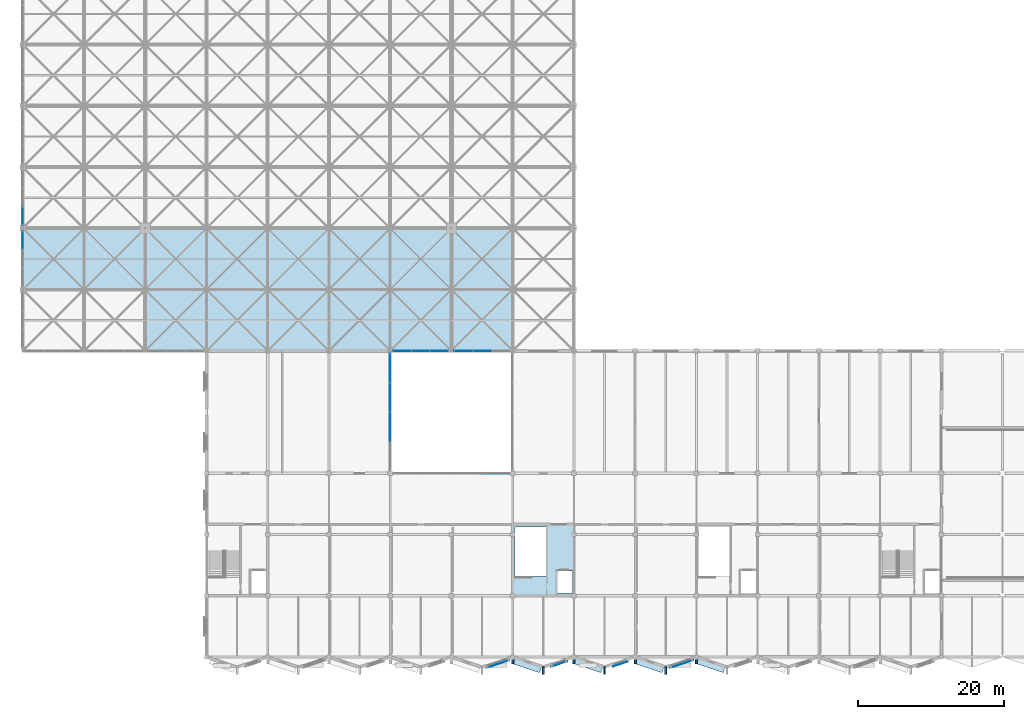
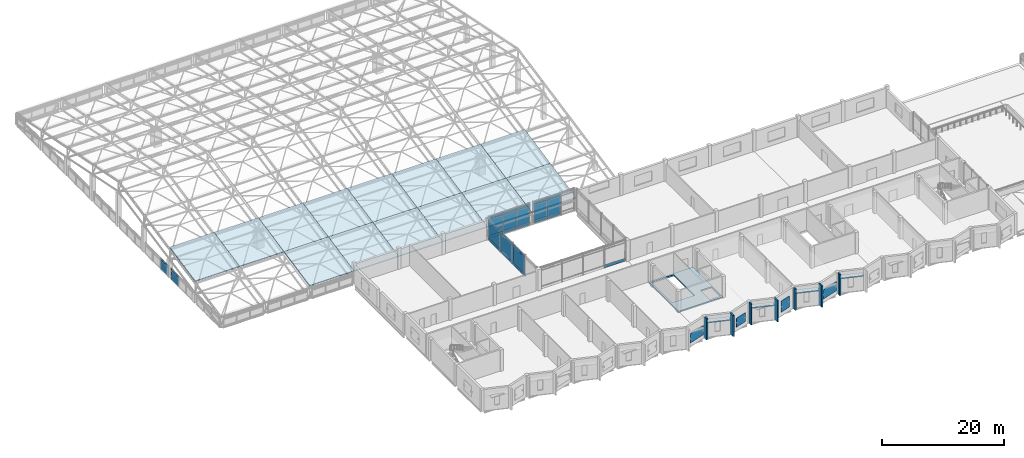
# One storey, part 68 of 81: 44 plates, 15 slabs, 6 elements without a shape of their own.
"""IFC4 building model written with IfcOpenShell, lengths in metres."""

from ifc_helpers import new_model, si_unit, direction, frame, frame_2d, origin, place, context, subcontext, project, spatial, polyline, rectangle, outline, extrude, material, layer, layer_set, type_object, element, aggregate, save


model = new_model("IFC4")

# Units and contexts
model_context = context("Model", 3, precision=1e-05, world=origin(), true_north=direction((0.0, 1.0)))
body_context = subcontext(model_context, "Body", "Model", "MODEL_VIEW")
ifc_project = project(units=[si_unit("LENGTHUNIT", "METRE"), si_unit("AREAUNIT", "SQUARE_METRE"), si_unit("VOLUMEUNIT", "CUBIC_METRE"), si_unit("PLANEANGLEUNIT", "RADIAN"), si_unit("MASSUNIT", "GRAM", prefix="KILO")], contexts=[model_context])

# Site, building, storey
site_placement = place(None, origin())
site = spatial("IfcSite", under=ifc_project, at=site_placement, CompositionType="ELEMENT")
building_placement = place(site_placement, origin())
building = spatial("IfcBuilding", under=site, at=building_placement, Name="Qawsi Khor Wholesale Market", CompositionType="ELEMENT")
storey_placement = place(building_placement, frame((0.0, 0.0, 16.199951171875)))
storey = spatial("IfcBuildingStorey", under=building, at=storey_placement, Name="L03", CompositionType="ELEMENT", Elevation=16.199951171875)

# Curtain wall, plate
ifc_material_1 = material(Name="Aluminium Anodised Bronze", Category="aluminium")
ifc_layer_1 = layer(ifc_material_1, 0.179931640625, Name="Aluminium Anodised Bronze")
ifc_layer_set_1 = layer_set([ifc_layer_1], Name="Aluminium Anodised Bronze")
curtain_wall_type_1 = type_object("IfcCurtainWallType", Name="Atrium Full-Height Curtain Wall CW-02", PredefinedType="NOTDEFINED", material=ifc_layer_set_1)
curtain_wall_1_placement = place(storey_placement, origin())
curtain_wall_1 = element("IfcCurtainWall", 1, at=curtain_wall_1_placement, inside=storey, type_object=curtain_wall_type_1, Name="Curtain wall CW-CW-02-L03-026", PredefinedType="NOTDEFINED")
ifc_material_2 = material(Name="Anodised Aluminium Spandrel", Category="aluminium")
ifc_layer_2 = layer(ifc_material_2, 0.06494140625, Name="Anodised Aluminium Spandrel")
ifc_layer_set_2 = layer_set([ifc_layer_2], Name="Anodised Aluminium Spandrel")
plate_type_1 = type_object("IfcPlateType", Name="Insulated Spandrel Panel CW-02 65mm", PredefinedType="CURTAIN_PANEL", material=ifc_layer_set_2)
plate_1_placement = place(storey_placement, frame((62.802490234375, 25.199951171875, 0.005126953125), z_axis=(0.0, 0.0, 1.0), x_axis=(1.0, 0.0, 0.0)))
plate_1 = element("IfcPlate", 2, at=plate_1_placement, type_object=plate_type_1, Name="Curtain panel CW-CW-02-L03-026-P0_03", PredefinedType="CURTAIN_PANEL", context=body_context, shape_type="SweptSolid", body=[
    extrude(rectangle(XDim=4.00244140625, YDim=0.06494140625, at=frame_2d((2.001220703125, 0.0))), origin(), (0.0, 0.0, 1.0), 0.58984375),
])
aggregate(curtain_wall_1, [plate_1])

# Curtain wall, plates
curtain_wall_2_placement = place(storey_placement, origin())
curtain_wall_2 = element("IfcCurtainWall", 3, at=curtain_wall_2_placement, inside=storey, type_object=curtain_wall_type_1, Name="Curtain wall CW-CW-02-L03-027", PredefinedType="NOTDEFINED")
plate_2_placement = place(storey_placement, frame((50.794921875, 42.0, 0.005126953125), z_axis=(0.0, 0.0, 1.0), x_axis=(1.0, 0.0, 0.0)))
plate_2 = element("IfcPlate", 4, at=plate_2_placement, type_object=plate_type_1, Name="Curtain panel CW-CW-02-L03-027-P0_00", PredefinedType="CURTAIN_PANEL", context=body_context, shape_type="SweptSolid", body=[
    extrude(rectangle(XDim=2.5283203125, YDim=0.06494140625, at=frame_2d((1.26416015625, 0.0))), origin(), (0.0, 0.0, 1.0), 0.58984375),
])
plate_3_placement = place(storey_placement, frame((53.3232421875, 42.0, 0.005126953125), z_axis=(0.0, 0.0, 1.0), x_axis=(1.0, 0.0, 0.0)))
plate_3 = element("IfcPlate", 5, at=plate_3_placement, type_object=plate_type_1, Name="Curtain panel CW-CW-02-L03-027-P0_01", PredefinedType="CURTAIN_PANEL", context=body_context, shape_type="SweptSolid", body=[
    extrude(rectangle(XDim=2.528564453125, YDim=0.06494140625, at=frame_2d((1.26416015625, 0.0))), origin(), (0.0, 0.0, 1.0), 0.58984375),
])
plate_4_placement = place(storey_placement, frame((55.851806640625, 42.0, 0.005126953125), z_axis=(0.0, 0.0, 1.0), x_axis=(1.0, 0.0, 0.0)))
plate_4 = element("IfcPlate", 6, at=plate_4_placement, type_object=plate_type_1, Name="Curtain panel CW-CW-02-L03-027-P0_02", PredefinedType="CURTAIN_PANEL", context=body_context, shape_type="SweptSolid", body=[
    extrude(rectangle(XDim=2.528076171875, YDim=0.06494140625, at=frame_2d((1.26416015625, 0.0))), origin(), (0.0, 0.0, 1.0), 0.58984375),
])

curtain_wall_3_placement = place(storey_placement, origin())
curtain_wall_3 = element("IfcCurtainWall", 7, at=curtain_wall_3_placement, inside=storey, type_object=curtain_wall_type_1, Name="Curtain wall CW-CW-02-L03-028", PredefinedType="NOTDEFINED")
plate_5_placement = place(storey_placement, frame((59.219970703125, 42.0, 0.005126953125), z_axis=(0.0, 0.0, 1.0), x_axis=(1.0, 0.0, 0.0)))
plate_5 = element("IfcPlate", 8, at=plate_5_placement, type_object=plate_type_1, Name="Curtain panel CW-CW-02-L03-028-P0_00", PredefinedType="CURTAIN_PANEL", context=body_context, shape_type="SweptSolid", body=[
    extrude(rectangle(XDim=2.5283203125, YDim=0.06494140625, at=frame_2d((1.26416015625, 0.0))), origin(), (0.0, 0.0, 1.0), 0.58984375),
])
plate_6_placement = place(storey_placement, frame((61.748291015625, 42.0, 0.005126953125), z_axis=(0.0, 0.0, 1.0), x_axis=(1.0, 0.0, 0.0)))
plate_6 = element("IfcPlate", 9, at=plate_6_placement, type_object=plate_type_1, Name="Curtain panel CW-CW-02-L03-028-P0_01", PredefinedType="CURTAIN_PANEL", context=body_context, shape_type="SweptSolid", body=[
    extrude(rectangle(XDim=2.5283203125, YDim=0.06494140625, at=frame_2d((1.26416015625, 0.0))), origin(), (0.0, 0.0, 1.0), 0.58984375),
])

curtain_wall_4_placement = place(storey_placement, origin())
curtain_wall_4 = element("IfcCurtainWall", 10, at=curtain_wall_4_placement, inside=storey, type_object=curtain_wall_type_1, Name="Curtain wall CW-CW-02-L03-029", PredefinedType="NOTDEFINED")
plate_7_placement = place(storey_placement, frame((50.39990234375, 29.597412109375, 0.005126953125), z_axis=(0.0, 0.0, 1.0), x_axis=(0.0, 1.0, 0.0)))
plate_7 = element("IfcPlate", 11, at=plate_7_placement, type_object=plate_type_1, Name="Curtain panel CW-CW-02-L03-029-P0_01", PredefinedType="CURTAIN_PANEL", context=body_context, shape_type="SweptSolid", body=[
    extrude(rectangle(XDim=4.002685546875, YDim=0.06494140625, at=frame_2d((2.00146484375, 0.0))), origin(), (0.0, 0.0, 1.0), 0.58984375),
])
plate_8_placement = place(storey_placement, frame((50.39990234375, 33.60009765625, 0.005126953125), z_axis=(0.0, 0.0, 1.0), x_axis=(0.0, 1.0, 0.0)))
plate_8 = element("IfcPlate", 12, at=plate_8_placement, type_object=plate_type_1, Name="Curtain panel CW-CW-02-L03-029-P0_02", PredefinedType="CURTAIN_PANEL", context=body_context, shape_type="SweptSolid", body=[
    extrude(rectangle(XDim=4.00244140625, YDim=0.06494140625, at=frame_2d((2.001220703125, 0.0))), origin(), (0.0, 0.0, 1.0), 0.58984375),
])
plate_9_placement = place(storey_placement, frame((50.39990234375, 37.6025390625, 0.005126953125), z_axis=(0.0, 0.0, 1.0), x_axis=(0.0, 1.0, 0.0)))
plate_9 = element("IfcPlate", 13, at=plate_9_placement, type_object=plate_type_1, Name="Curtain panel CW-CW-02-L03-029-P0_03", PredefinedType="CURTAIN_PANEL", context=body_context, shape_type="SweptSolid", body=[
    extrude(rectangle(XDim=4.00244140625, YDim=0.06494140625, at=frame_2d((2.001220703125, 0.0))), origin(), (0.0, 0.0, 1.0), 0.58984375),
])

# Plates
ifc_material_3 = material(Name="Perforated Bronze-Anodised Aluminium", Category="aluminium")
ifc_layer_3 = layer(ifc_material_3, 0.028076171875, Name="Perforated Bronze-Anodised Aluminium")
ifc_layer_set_3 = layer_set([ifc_layer_3], Name="Perforated Bronze-Anodised Aluminium")
plate_type_2 = type_object("IfcPlateType", Name="Perforated Bronze Mashrabiya Screen 28mm", PredefinedType="SHEET", material=ifc_layer_set_3)
plate_10_placement = place(storey_placement, frame((66.756103515625, -0.448486328125, 0.85009765625), z_axis=(0.0, 0.0, 1.0), x_axis=(-0.948690696143, -0.316205570874, 0.0)))
element("IfcPlate", 14, at=plate_10_placement, inside=storey, type_object=plate_type_2, Name="Solar mashrabiya screen 045", PredefinedType="SHEET", context=body_context, shape_type="SweptSolid", body=[
    extrude(rectangle(XDim=3.300048828125, YDim=0.028076171875, at=frame_2d((1.64990234375, 0.0))), origin(), (0.0, 0.0, 1.0), 1.849853515625),
])
plate_11_placement = place(storey_placement, frame((74.691162109375, -0.603271484375, 0.85009765625), z_axis=(0.0, 0.0, 1.0), x_axis=(-0.948683298051, -0.316227766017, 0.0)))
element("IfcPlate", 15, at=plate_11_placement, inside=storey, type_object=plate_type_2, Name="Solar mashrabiya screen 046", PredefinedType="SHEET", context=body_context, shape_type="SweptSolid", body=[
    extrude(rectangle(XDim=2.320068359375, YDim=0.028076171875, at=frame_2d((1.16015625, 0.0))), origin(), (0.0, 0.0, 1.0), 1.800048828125),
])
plate_12_placement = place(storey_placement, frame((82.98681640625, -0.63818359375, 0.85009765625), z_axis=(0.0, 0.0, 1.0), x_axis=(-0.948683298051, -0.316227766017, 0.0)))
element("IfcPlate", 16, at=plate_12_placement, inside=storey, type_object=plate_type_2, Name="Solar mashrabiya screen 047", PredefinedType="SHEET", context=body_context, shape_type="SweptSolid", body=[
    extrude(rectangle(XDim=2.099853515625, YDim=0.028076171875, at=frame_2d((1.0498046875, 0.0))), origin(), (0.0, 0.0, 1.0), 2.25),
])
plate_13_placement = place(storey_placement, frame((91.9560546875, -0.448486328125, 0.85009765625), z_axis=(0.0, 0.0, 1.0), x_axis=(-0.948690696143, -0.316205570874, 0.0)))
element("IfcPlate", 17, at=plate_13_placement, inside=storey, type_object=plate_type_2, Name="Solar mashrabiya screen 048", PredefinedType="SHEET", context=body_context, shape_type="SweptSolid", body=[
    extrude(rectangle(XDim=3.300048828125, YDim=0.028076171875, at=frame_2d((1.64990234375, 0.0))), origin(), (0.0, 0.0, 1.0), 1.849853515625),
])
ifc_material_4 = material(Name="Concrete C40/50", Category="concrete")
ifc_layer_4 = layer(ifc_material_4, 0.260009765625, Name="Concrete C40/50")
ifc_layer_set_4 = layer_set([ifc_layer_4], Name="Concrete C40/50")
plate_type_3 = type_object("IfcPlateType", Name="Sculpted Concrete Solar Buttress Fin 260", PredefinedType="SHEET", material=ifc_layer_set_4)
plate_14_placement = place(storey_placement, frame((67.199951171875, -0.949951171875, 0.0), z_axis=(0.0, 0.0, 1.0), x_axis=(0.0, 1.0, 0.0)))
element("IfcPlate", 18, at=plate_14_placement, inside=storey, type_object=plate_type_3, Name="Boulevard concrete solar buttress fin L03-10", PredefinedType="SHEET", context=body_context, shape_type="SweptSolid", body=[
    extrude(rectangle(XDim=0.570068359375, YDim=0.260009765625, at=frame_2d((0.28515625, 0.0))), origin(), (0.0, 0.0, 1.0), 4.260009765625),
])
plate_15_placement = place(storey_placement, frame((71.39990234375, -2.35009765625, 0.0), z_axis=(0.0, 0.0, 1.0), x_axis=(0.0, 1.0, 0.0)))
element("IfcPlate", 19, at=plate_15_placement, inside=storey, type_object=plate_type_3, Name="Boulevard concrete solar buttress fin L03-11", PredefinedType="SHEET", context=body_context, shape_type="SweptSolid", body=[
    extrude(rectangle(XDim=1.0, YDim=0.260009765625, at=frame_2d((0.5, 0.0))), origin(), (0.0, 0.0, 1.0), 4.260009765625),
])
plate_16_placement = place(storey_placement, frame((75.60009765625, -0.949951171875, 0.0), z_axis=(0.0, 0.0, 1.0), x_axis=(0.0, 1.0, 0.0)))
element("IfcPlate", 20, at=plate_16_placement, inside=storey, type_object=plate_type_3, Name="Boulevard concrete solar buttress fin L03-12", PredefinedType="SHEET", context=body_context, shape_type="SweptSolid", body=[
    extrude(rectangle(XDim=0.570068359375, YDim=0.260009765625, at=frame_2d((0.28515625, 0.0))), origin(), (0.0, 0.0, 1.0), 4.260009765625),
])
plate_17_placement = place(storey_placement, frame((79.800048828125, -2.35009765625, 0.0), z_axis=(0.0, 0.0, 1.0), x_axis=(0.0, 1.0, 0.0)))
element("IfcPlate", 21, at=plate_17_placement, inside=storey, type_object=plate_type_3, Name="Boulevard concrete solar buttress fin L03-13", PredefinedType="SHEET", context=body_context, shape_type="SweptSolid", body=[
    extrude(rectangle(XDim=1.0, YDim=0.260009765625, at=frame_2d((0.5, 0.0))), origin(), (0.0, 0.0, 1.0), 4.260009765625),
])
plate_18_placement = place(storey_placement, frame((84.0, -0.949951171875, 0.0), z_axis=(0.0, 0.0, 1.0), x_axis=(0.0, 1.0, 0.0)))
element("IfcPlate", 22, at=plate_18_placement, inside=storey, type_object=plate_type_3, Name="Boulevard concrete solar buttress fin L03-14", PredefinedType="SHEET", context=body_context, shape_type="SweptSolid", body=[
    extrude(rectangle(XDim=0.570068359375, YDim=0.260009765625, at=frame_2d((0.28515625, 0.0))), origin(), (0.0, 0.0, 1.0), 4.260009765625),
])
plate_19_placement = place(storey_placement, frame((88.199951171875, -2.35009765625, 0.0), z_axis=(0.0, 0.0, 1.0), x_axis=(0.0, 1.0, 0.0)))
element("IfcPlate", 23, at=plate_19_placement, inside=storey, type_object=plate_type_3, Name="Boulevard concrete solar buttress fin L03-15", PredefinedType="SHEET", context=body_context, shape_type="SweptSolid", body=[
    extrude(rectangle(XDim=1.0, YDim=0.260009765625, at=frame_2d((0.5, 0.0))), origin(), (0.0, 0.0, 1.0), 4.260009765625),
])
plate_20_placement = place(storey_placement, frame((92.39990234375, -0.949951171875, 0.0), z_axis=(0.0, 0.0, 1.0), x_axis=(0.0, 1.0, 0.0)))
element("IfcPlate", 24, at=plate_20_placement, inside=storey, type_object=plate_type_3, Name="Boulevard concrete solar buttress fin L03-16", PredefinedType="SHEET", context=body_context, shape_type="SweptSolid", body=[
    extrude(rectangle(XDim=0.570068359375, YDim=0.260009765625, at=frame_2d((0.28515625, 0.0))), origin(), (0.0, 0.0, 1.0), 4.260009765625),
])
ifc_layer_5 = layer(ifc_material_4, 0.949951171875, Name="Concrete C40/50")
ifc_layer_set_5 = layer_set([ifc_layer_5], Name="Concrete C40/50")
plate_type_4 = type_object("IfcPlateType", Name="Sculpted Concrete Sun-Hood Canopy 950", PredefinedType="SHEET", material=ifc_layer_set_5)
for number, where, z_axis, x_axis, name in (
    (25, (67.310791015625, -0.45849609375, 3.25), (0.0, 0.0, 1.0), (0.94867708111, -0.316246416226, 0.0), "Sculpted concrete sun-hood L03-11"),
    (26, (75.710693359375, -0.45849609375, 3.25), (0.0, 0.0, 1.0), (0.94867708111, -0.316246416226, 0.0), "Sculpted concrete sun-hood L03-13"),
    (27, (84.110595703125, -0.45849609375, 3.25), (0.0, 0.0, 1.0), (0.94867708111, -0.316246416226, 0.0), "Sculpted concrete sun-hood L03-15"),
    (28, (92.5107421875, -0.45849609375, 3.25), (0.0, 0.0, 1.0), (0.94867708111, -0.316246416226, 0.0), "Sculpted concrete sun-hood L03-17"),
):
    element("IfcPlate", number, at=place(storey_placement, frame(where, z_axis=z_axis, x_axis=x_axis)), inside=storey, type_object=plate_type_4, Name=name, PredefinedType="SHEET", context=body_context, shape_type="SweptSolid", body=[
        extrude(rectangle(XDim=3.92724609375, YDim=0.949951171875, at=frame_2d((1.963623046875, 0.0))), origin(), (0.0, 0.0, 1.0), 0.18994140625),
    ])

# Slabs
ifc_layer_6 = layer(ifc_material_4, 0.2099609375, Name="Concrete C40/50")
ifc_layer_set_6 = layer_set([ifc_layer_6], Name="Concrete C40/50")
slab_type_1 = type_object("IfcSlabType", Name="Sloped Insulated Roof Deck 210", PredefinedType="ROOF", material=ifc_layer_set_6)
slab_1_placement = place(storey_placement, frame((0.0, 50.39990234375, 4.150146484375), z_axis=(0.0, -0.198350711418, 0.98013111127), x_axis=(1.0, 0.0, 0.0)))
element("IfcSlab", 29, at=slab_1_placement, inside=storey, type_object=slab_type_1, Name="Space frame roof deck WH (0,6)", PredefinedType="ROOF", context=body_context, shape_type="SweptSolid", body=[
    extrude(outline(polyline([(0.0, 0.0), (8.39990234375, 0.0), (8.39990234375, 8.570431432881128), (0.0, 8.570431432881128), (0.0, 0.0)])), origin(), (0.0, 0.0, -1.0), 0.2099609375),
])
slab_2_placement = place(storey_placement, frame((8.39990234375, 50.39990234375, 4.150146484375), z_axis=(0.0, -0.198350711418, 0.98013111127), x_axis=(1.0, 0.0, 0.0)))
element("IfcSlab", 30, at=slab_2_placement, inside=storey, type_object=slab_type_1, Name="Space frame roof deck WH (1,6)", PredefinedType="ROOF", context=body_context, shape_type="SweptSolid", body=[
    extrude(outline(polyline([(0.0, 0.0), (8.400146484375, 0.0), (8.400146484375, 8.570431432881128), (0.0, 8.570431432881128), (0.0, 0.0)])), origin(), (0.0, 0.0, -1.0), 0.2099609375),
])
slab_3_placement = place(storey_placement, frame((16.800048828125, 42.0, 2.449951171875), z_axis=(0.0, -0.198383615716, 0.9801244518), x_axis=(1.0, 0.0, 0.0)))
element("IfcSlab", 31, at=slab_3_placement, inside=storey, type_object=slab_type_1, Name="Space frame roof deck WH (2,5)", PredefinedType="ROOF", context=body_context, shape_type="SweptSolid", body=[
    extrude(outline(polyline([(0.0, 0.0), (8.39990234375, 0.0), (8.39990234375, 8.570240573355203), (0.0, 8.570240573355203), (0.0, 0.0)])), origin(), (0.0, 0.0, -1.0), 0.2099609375),
])
slab_4_placement = place(storey_placement, frame((16.800048828125, 50.39990234375, 4.150146484375), z_axis=(0.0, -0.198350711418, 0.98013111127), x_axis=(1.0, 0.0, 0.0)))
element("IfcSlab", 32, at=slab_4_placement, inside=storey, type_object=slab_type_1, Name="Space frame roof deck WH (2,6)", PredefinedType="ROOF", context=body_context, shape_type="SweptSolid", body=[
    extrude(outline(polyline([(0.0, 0.0), (8.39990234375, 0.0), (8.39990234375, 8.570431432881128), (0.0, 8.570431432881128), (0.0, 0.0)])), origin(), (0.0, 0.0, -1.0), 0.2099609375),
])
slab_5_placement = place(storey_placement, frame((25.199951171875, 42.0, 2.449951171875), z_axis=(0.0, -0.198383615716, 0.9801244518), x_axis=(1.0, 0.0, 0.0)))
element("IfcSlab", 33, at=slab_5_placement, inside=storey, type_object=slab_type_1, Name="Space frame roof deck WH (3,5)", PredefinedType="ROOF", context=body_context, shape_type="SweptSolid", body=[
    extrude(outline(polyline([(0.0, 0.0), (8.400146484375, 0.0), (8.400146484375, 8.570240573355203), (0.0, 8.570240573355203), (0.0, 0.0)])), origin(), (0.0, 0.0, -1.0), 0.2099609375),
])
slab_6_placement = place(storey_placement, frame((25.199951171875, 50.39990234375, 4.150146484375), z_axis=(0.0, -0.198350711418, 0.98013111127), x_axis=(1.0, 0.0, 0.0)))
element("IfcSlab", 34, at=slab_6_placement, inside=storey, type_object=slab_type_1, Name="Space frame roof deck WH (3,6)", PredefinedType="ROOF", context=body_context, shape_type="SweptSolid", body=[
    extrude(outline(polyline([(0.0, 0.0), (8.400146484375, 0.0), (8.400146484375, 8.570431432881128), (0.0, 8.570431432881128), (0.0, 0.0)])), origin(), (0.0, 0.0, -1.0), 0.2099609375),
])
slab_7_placement = place(storey_placement, frame((33.60009765625, 42.0, 2.449951171875), z_axis=(0.0, -0.198383615716, 0.9801244518), x_axis=(1.0, 0.0, 0.0)))
element("IfcSlab", 35, at=slab_7_placement, inside=storey, type_object=slab_type_1, Name="Space frame roof deck WH (4,5)", PredefinedType="ROOF", context=body_context, shape_type="SweptSolid", body=[
    extrude(outline(polyline([(0.0, 0.0), (8.39990234375, 0.0), (8.39990234375, 8.570240573355203), (0.0, 8.570240573355203), (0.0, 0.0)])), origin(), (0.0, 0.0, -1.0), 0.2099609375),
])
slab_8_placement = place(storey_placement, frame((33.60009765625, 50.39990234375, 4.150146484375), z_axis=(0.0, -0.198350711418, 0.98013111127), x_axis=(1.0, 0.0, 0.0)))
element("IfcSlab", 36, at=slab_8_placement, inside=storey, type_object=slab_type_1, Name="Space frame roof deck WH (4,6)", PredefinedType="ROOF", context=body_context, shape_type="SweptSolid", body=[
    extrude(outline(polyline([(0.0, 0.0), (8.39990234375, 0.0), (8.39990234375, 8.570431432881128), (0.0, 8.570431432881128), (0.0, 0.0)])), origin(), (0.0, 0.0, -1.0), 0.2099609375),
])
slab_9_placement = place(storey_placement, frame((42.0, 42.0, 2.449951171875), z_axis=(0.0, -0.198383615716, 0.9801244518), x_axis=(1.0, 0.0, 0.0)))
element("IfcSlab", 37, at=slab_9_placement, inside=storey, type_object=slab_type_1, Name="Space frame roof deck WH (5,5)", PredefinedType="ROOF", context=body_context, shape_type="SweptSolid", body=[
    extrude(outline(polyline([(0.0, 0.0), (8.39990234375, 0.0), (8.39990234375, 8.570240573355203), (0.0, 8.570240573355203), (0.0, 0.0)])), origin(), (0.0, 0.0, -1.0), 0.2099609375),
])
slab_10_placement = place(storey_placement, frame((42.0, 50.39990234375, 4.150146484375), z_axis=(0.0, -0.198350711418, 0.98013111127), x_axis=(1.0, 0.0, 0.0)))
element("IfcSlab", 38, at=slab_10_placement, inside=storey, type_object=slab_type_1, Name="Space frame roof deck WH (5,6)", PredefinedType="ROOF", context=body_context, shape_type="SweptSolid", body=[
    extrude(outline(polyline([(0.0, 0.0), (8.39990234375, 0.0), (8.39990234375, 8.570431432881128), (0.0, 8.570431432881128), (0.0, 0.0)])), origin(), (0.0, 0.0, -1.0), 0.2099609375),
])
slab_11_placement = place(storey_placement, frame((50.39990234375, 42.0, 2.449951171875), z_axis=(0.0, -0.198383615716, 0.9801244518), x_axis=(1.0, 0.0, 0.0)))
element("IfcSlab", 39, at=slab_11_placement, inside=storey, type_object=slab_type_1, Name="Space frame roof deck WH (6,5)", PredefinedType="ROOF", context=body_context, shape_type="SweptSolid", body=[
    extrude(outline(polyline([(0.0, 0.0), (8.400146484375, 0.0), (8.400146484375, 8.570240573355203), (0.0, 8.570240573355203), (0.0, 0.0)])), origin(), (0.0, 0.0, -1.0), 0.2099609375),
])
slab_12_placement = place(storey_placement, frame((50.39990234375, 50.39990234375, 4.150146484375), z_axis=(0.0, -0.198350711418, 0.98013111127), x_axis=(1.0, 0.0, 0.0)))
element("IfcSlab", 40, at=slab_12_placement, inside=storey, type_object=slab_type_1, Name="Space frame roof deck WH (6,6)", PredefinedType="ROOF", context=body_context, shape_type="SweptSolid", body=[
    extrude(outline(polyline([(0.0, 0.0), (8.400146484375, 0.0), (8.400146484375, 8.570431432881128), (0.0, 8.570431432881128), (0.0, 0.0)])), origin(), (0.0, 0.0, -1.0), 0.2099609375),
])
slab_13_placement = place(storey_placement, frame((58.800048828125, 42.0, 2.449951171875), z_axis=(0.0, -0.198383615716, 0.9801244518), x_axis=(1.0, 0.0, 0.0)))
element("IfcSlab", 41, at=slab_13_placement, inside=storey, type_object=slab_type_1, Name="Space frame roof deck WH (7,5)", PredefinedType="ROOF", context=body_context, shape_type="SweptSolid", body=[
    extrude(outline(polyline([(0.0, 0.0), (8.39990234375, 0.0), (8.39990234375, 8.570240573355203), (0.0, 8.570240573355203), (0.0, 0.0)])), origin(), (0.0, 0.0, -1.0), 0.2099609375),
])
slab_14_placement = place(storey_placement, frame((58.800048828125, 50.39990234375, 4.150146484375), z_axis=(0.0, -0.198350711418, 0.98013111127), x_axis=(1.0, 0.0, 0.0)))
element("IfcSlab", 42, at=slab_14_placement, inside=storey, type_object=slab_type_1, Name="Space frame roof deck WH (7,6)", PredefinedType="ROOF", context=body_context, shape_type="SweptSolid", body=[
    extrude(outline(polyline([(0.0, 0.0), (8.39990234375, 0.0), (8.39990234375, 8.570431432881128), (0.0, 8.570431432881128), (0.0, 0.0)])), origin(), (0.0, 0.0, -1.0), 0.2099609375),
])

# Plate
ifc_material_5 = material(Name="Tempered Low-E Solar Glass", Category="glass")
ifc_layer_7 = layer(ifc_material_5, 0.031982421875, Name="Tempered Low-E Solar Glass")
ifc_layer_set_7 = layer_set([ifc_layer_7], Name="Tempered Low-E Solar Glass")
plate_type_5 = type_object("IfcPlateType", Name="Solar Double-Glazed Unit CW-02 32mm", PredefinedType="CURTAIN_PANEL", material=ifc_layer_set_7)
plate_21_placement = place(storey_placement, frame((50.794921875, 42.0, 0.60498046875), z_axis=(0.0, 0.0, 1.0), x_axis=(1.0, 0.0, 0.0)))
plate_21 = element("IfcPlate", 43, at=plate_21_placement, type_object=plate_type_5, Name="Curtain panel CW-CW-02-L03-027-P1_00", PredefinedType="CURTAIN_PANEL", context=body_context, shape_type="SweptSolid", body=[
    extrude(rectangle(XDim=2.5283203125, YDim=0.031982421875, at=frame_2d((1.26416015625, 0.0))), origin(), (0.0, 0.0, 1.0), 3.199951171875),
])

plate_22_placement = place(storey_placement, frame((53.3232421875, 42.0, 0.60498046875), z_axis=(0.0, 0.0, 1.0), x_axis=(1.0, 0.0, 0.0)))
plate_22 = element("IfcPlate", 44, at=plate_22_placement, type_object=plate_type_5, Name="Curtain panel CW-CW-02-L03-027-P1_01", PredefinedType="CURTAIN_PANEL", context=body_context, shape_type="SweptSolid", body=[
    extrude(rectangle(XDim=2.528564453125, YDim=0.031982421875, at=frame_2d((1.26416015625, 0.0))), origin(), (0.0, 0.0, 1.0), 3.199951171875),
])

plate_23_placement = place(storey_placement, frame((55.851806640625, 42.0, 0.60498046875), z_axis=(0.0, 0.0, 1.0), x_axis=(1.0, 0.0, 0.0)))
plate_23 = element("IfcPlate", 45, at=plate_23_placement, type_object=plate_type_5, Name="Curtain panel CW-CW-02-L03-027-P1_02", PredefinedType="CURTAIN_PANEL", context=body_context, shape_type="SweptSolid", body=[
    extrude(rectangle(XDim=2.528076171875, YDim=0.031982421875, at=frame_2d((1.26416015625, 0.0))), origin(), (0.0, 0.0, 1.0), 3.199951171875),
])

plate_24_placement = place(storey_placement, frame((50.794921875, 42.0, 3.81494140625), z_axis=(0.0, 0.0, 1.0), x_axis=(1.0, 0.0, 0.0)))
plate_24 = element("IfcPlate", 46, at=plate_24_placement, type_object=plate_type_5, Name="Curtain panel CW-CW-02-L03-027-P2_00", PredefinedType="CURTAIN_PANEL", context=body_context, shape_type="SweptSolid", body=[
    extrude(rectangle(XDim=2.5283203125, YDim=0.031982421875, at=frame_2d((1.26416015625, 0.0))), origin(), (0.0, 0.0, 1.0), 0.440185546875),
])

plate_25_placement = place(storey_placement, frame((53.3232421875, 42.0, 3.81494140625), z_axis=(0.0, 0.0, 1.0), x_axis=(1.0, 0.0, 0.0)))
plate_25 = element("IfcPlate", 47, at=plate_25_placement, type_object=plate_type_5, Name="Curtain panel CW-CW-02-L03-027-P2_01", PredefinedType="CURTAIN_PANEL", context=body_context, shape_type="SweptSolid", body=[
    extrude(rectangle(XDim=2.528564453125, YDim=0.031982421875, at=frame_2d((1.26416015625, 0.0))), origin(), (0.0, 0.0, 1.0), 0.440185546875),
])

plate_26_placement = place(storey_placement, frame((55.851806640625, 42.0, 3.81494140625), z_axis=(0.0, 0.0, 1.0), x_axis=(1.0, 0.0, 0.0)))
plate_26 = element("IfcPlate", 48, at=plate_26_placement, type_object=plate_type_5, Name="Curtain panel CW-CW-02-L03-027-P2_02", PredefinedType="CURTAIN_PANEL", context=body_context, shape_type="SweptSolid", body=[
    extrude(rectangle(XDim=2.528076171875, YDim=0.031982421875, at=frame_2d((1.26416015625, 0.0))), origin(), (0.0, 0.0, 1.0), 0.440185546875),
])

aggregate(curtain_wall_2, [plate_2, plate_3, plate_4, plate_21, plate_22, plate_23, plate_24, plate_25, plate_26])

plate_27_placement = place(storey_placement, frame((59.219970703125, 42.0, 0.60498046875), z_axis=(0.0, 0.0, 1.0), x_axis=(1.0, 0.0, 0.0)))
plate_27 = element("IfcPlate", 49, at=plate_27_placement, type_object=plate_type_5, Name="Curtain panel CW-CW-02-L03-028-P1_00", PredefinedType="CURTAIN_PANEL", context=body_context, shape_type="SweptSolid", body=[
    extrude(rectangle(XDim=2.5283203125, YDim=0.031982421875, at=frame_2d((1.26416015625, 0.0))), origin(), (0.0, 0.0, 1.0), 3.199951171875),
])

plate_28_placement = place(storey_placement, frame((61.748291015625, 42.0, 0.60498046875), z_axis=(0.0, 0.0, 1.0), x_axis=(1.0, 0.0, 0.0)))
plate_28 = element("IfcPlate", 50, at=plate_28_placement, type_object=plate_type_5, Name="Curtain panel CW-CW-02-L03-028-P1_01", PredefinedType="CURTAIN_PANEL", context=body_context, shape_type="SweptSolid", body=[
    extrude(rectangle(XDim=2.5283203125, YDim=0.031982421875, at=frame_2d((1.26416015625, 0.0))), origin(), (0.0, 0.0, 1.0), 3.199951171875),
])

plate_29_placement = place(storey_placement, frame((59.219970703125, 42.0, 3.81494140625), z_axis=(0.0, 0.0, 1.0), x_axis=(1.0, 0.0, 0.0)))
plate_29 = element("IfcPlate", 51, at=plate_29_placement, type_object=plate_type_5, Name="Curtain panel CW-CW-02-L03-028-P2_00", PredefinedType="CURTAIN_PANEL", context=body_context, shape_type="SweptSolid", body=[
    extrude(rectangle(XDim=2.5283203125, YDim=0.031982421875, at=frame_2d((1.26416015625, 0.0))), origin(), (0.0, 0.0, 1.0), 0.440185546875),
])

plate_30_placement = place(storey_placement, frame((61.748291015625, 42.0, 3.81494140625), z_axis=(0.0, 0.0, 1.0), x_axis=(1.0, 0.0, 0.0)))
plate_30 = element("IfcPlate", 52, at=plate_30_placement, type_object=plate_type_5, Name="Curtain panel CW-CW-02-L03-028-P2_01", PredefinedType="CURTAIN_PANEL", context=body_context, shape_type="SweptSolid", body=[
    extrude(rectangle(XDim=2.5283203125, YDim=0.031982421875, at=frame_2d((1.26416015625, 0.0))), origin(), (0.0, 0.0, 1.0), 0.440185546875),
])

aggregate(curtain_wall_3, [plate_5, plate_6, plate_27, plate_28, plate_29, plate_30])

plate_31_placement = place(storey_placement, frame((50.39990234375, 29.597412109375, 0.60498046875), z_axis=(0.0, 0.0, 1.0), x_axis=(0.0, 1.0, 0.0)))
plate_31 = element("IfcPlate", 53, at=plate_31_placement, type_object=plate_type_5, Name="Curtain panel CW-CW-02-L03-029-P1_01", PredefinedType="CURTAIN_PANEL", context=body_context, shape_type="SweptSolid", body=[
    extrude(rectangle(XDim=4.002685546875, YDim=0.031982421875, at=frame_2d((2.00146484375, 0.0))), origin(), (0.0, 0.0, 1.0), 3.199951171875),
])

plate_32_placement = place(storey_placement, frame((50.39990234375, 33.60009765625, 0.60498046875), z_axis=(0.0, 0.0, 1.0), x_axis=(0.0, 1.0, 0.0)))
plate_32 = element("IfcPlate", 54, at=plate_32_placement, type_object=plate_type_5, Name="Curtain panel CW-CW-02-L03-029-P1_02", PredefinedType="CURTAIN_PANEL", context=body_context, shape_type="SweptSolid", body=[
    extrude(rectangle(XDim=4.00244140625, YDim=0.031982421875, at=frame_2d((2.001220703125, 0.0))), origin(), (0.0, 0.0, 1.0), 3.199951171875),
])

plate_33_placement = place(storey_placement, frame((50.39990234375, 37.6025390625, 0.60498046875), z_axis=(0.0, 0.0, 1.0), x_axis=(0.0, 1.0, 0.0)))
plate_33 = element("IfcPlate", 55, at=plate_33_placement, type_object=plate_type_5, Name="Curtain panel CW-CW-02-L03-029-P1_03", PredefinedType="CURTAIN_PANEL", context=body_context, shape_type="SweptSolid", body=[
    extrude(rectangle(XDim=4.00244140625, YDim=0.031982421875, at=frame_2d((2.001220703125, 0.0))), origin(), (0.0, 0.0, 1.0), 3.199951171875),
])

plate_34_placement = place(storey_placement, frame((50.39990234375, 29.597412109375, 3.81494140625), z_axis=(0.0, 0.0, 1.0), x_axis=(0.0, 1.0, 0.0)))
plate_34 = element("IfcPlate", 56, at=plate_34_placement, type_object=plate_type_5, Name="Curtain panel CW-CW-02-L03-029-P2_01", PredefinedType="CURTAIN_PANEL", context=body_context, shape_type="SweptSolid", body=[
    extrude(rectangle(XDim=4.002685546875, YDim=0.031982421875, at=frame_2d((2.00146484375, 0.0))), origin(), (0.0, 0.0, 1.0), 0.440185546875),
])

plate_35_placement = place(storey_placement, frame((50.39990234375, 33.60009765625, 3.81494140625), z_axis=(0.0, 0.0, 1.0), x_axis=(0.0, 1.0, 0.0)))
plate_35 = element("IfcPlate", 57, at=plate_35_placement, type_object=plate_type_5, Name="Curtain panel CW-CW-02-L03-029-P2_02", PredefinedType="CURTAIN_PANEL", context=body_context, shape_type="SweptSolid", body=[
    extrude(rectangle(XDim=4.00244140625, YDim=0.031982421875, at=frame_2d((2.001220703125, 0.0))), origin(), (0.0, 0.0, 1.0), 0.440185546875),
])

plate_36_placement = place(storey_placement, frame((50.39990234375, 37.6025390625, 3.81494140625), z_axis=(0.0, 0.0, 1.0), x_axis=(0.0, 1.0, 0.0)))
plate_36 = element("IfcPlate", 58, at=plate_36_placement, type_object=plate_type_5, Name="Curtain panel CW-CW-02-L03-029-P2_03", PredefinedType="CURTAIN_PANEL", context=body_context, shape_type="SweptSolid", body=[
    extrude(rectangle(XDim=4.00244140625, YDim=0.031982421875, at=frame_2d((2.001220703125, 0.0))), origin(), (0.0, 0.0, 1.0), 0.440185546875),
])

aggregate(curtain_wall_4, [plate_7, plate_8, plate_9, plate_31, plate_32, plate_33, plate_34, plate_35, plate_36])

# Curtain wall, plates
ifc_layer_8 = layer(ifc_material_1, 0.199951171875, Name="Aluminium Anodised Bronze")
ifc_layer_set_8 = layer_set([ifc_layer_8], Name="Aluminium Anodised Bronze")
curtain_wall_type_2 = type_object("IfcCurtainWallType", Name="Trading Hall North-Light Curtain Wall CW-03", PredefinedType="NOTDEFINED", material=ifc_layer_set_8)
curtain_wall_5_placement = place(storey_placement, origin())
curtain_wall_5 = element("IfcCurtainWall", 59, at=curtain_wall_5_placement, inside=storey, type_object=curtain_wall_type_2, Name="Curtain wall CW-CW-03-L03-131", PredefinedType="NOTDEFINED")
ifc_layer_9 = layer(ifc_material_5, 0.0419921875, Name="Tempered Low-E Solar Glass")
ifc_layer_set_9 = layer_set([ifc_layer_9], Name="Tempered Low-E Solar Glass")
plate_type_6 = type_object("IfcPlateType", Name="Solar Double-Glazed Unit CW-03 42mm", PredefinedType="CURTAIN_PANEL", material=ifc_layer_set_9)
plate_37_placement = place(storey_placement, frame((0.0, 55.859130859375, -0.27490234375), z_axis=(0.0, 0.0, 1.0), x_axis=(0.0, 1.0, 0.0)))
plate_37 = element("IfcPlate", 60, at=plate_37_placement, type_object=plate_type_6, Name="Curtain panel CW-CW-03-L03-131-P0_02", PredefinedType="CURTAIN_PANEL", context=body_context, shape_type="SweptSolid", body=[
    extrude(rectangle(XDim=2.518310546875, YDim=0.0419921875, at=frame_2d((1.25927734375, 0.0))), origin(), (0.0, 0.0, 1.0), 1.719970703125),
])
plate_38_placement = place(storey_placement, frame((0.0, 55.859130859375, 1.455078125), z_axis=(0.0, 0.0, 1.0), x_axis=(0.0, 1.0, 0.0)))
plate_38 = element("IfcPlate", 61, at=plate_38_placement, type_object=plate_type_6, Name="Curtain panel CW-CW-03-L03-131-P1_02", PredefinedType="CURTAIN_PANEL", context=body_context, shape_type="SweptSolid", body=[
    extrude(rectangle(XDim=2.518310546875, YDim=0.0419921875, at=frame_2d((1.25927734375, 0.0))), origin(), (0.0, 0.0, 1.0), 0.43994140625),
])
aggregate(curtain_wall_5, [plate_37, plate_38])

curtain_wall_6_placement = place(storey_placement, origin())
curtain_wall_6 = element("IfcCurtainWall", 62, at=curtain_wall_6_placement, inside=storey, type_object=curtain_wall_type_2, Name="Curtain wall CW-CW-03-L03-133", PredefinedType="NOTDEFINED")
plate_39_placement = place(storey_placement, frame((0.0, 59.222412109375, -0.27490234375), z_axis=(0.0, 0.0, 1.0), x_axis=(0.0, 1.0, 0.0)))
plate_39 = element("IfcPlate", 63, at=plate_39_placement, type_object=plate_type_6, Name="Curtain panel CW-CW-03-L03-133-P0_00", PredefinedType="CURTAIN_PANEL", context=body_context, shape_type="SweptSolid", body=[
    extrude(rectangle(XDim=2.518310546875, YDim=0.0419921875, at=frame_2d((1.25927734375, 0.0))), origin(), (0.0, 0.0, 1.0), 1.719970703125),
])
plate_40_placement = place(storey_placement, frame((0.0, 59.222412109375, 1.455078125), z_axis=(0.0, 0.0, 1.0), x_axis=(0.0, 1.0, 0.0)))
plate_40 = element("IfcPlate", 64, at=plate_40_placement, type_object=plate_type_6, Name="Curtain panel CW-CW-03-L03-133-P1_00", PredefinedType="CURTAIN_PANEL", context=body_context, shape_type="SweptSolid", body=[
    extrude(rectangle(XDim=2.518310546875, YDim=0.0419921875, at=frame_2d((1.25927734375, 0.0))), origin(), (0.0, 0.0, 1.0), 0.43994140625),
])
aggregate(curtain_wall_6, [plate_39, plate_40])

# Slab
ifc_layer_10 = layer(ifc_material_4, 0.280029296875, Name="Concrete C40/50")
ifc_layer_set_10 = layer_set([ifc_layer_10], Name="Concrete C40/50")
slab_type_2 = type_object("IfcSlabType", Name="Suspended Floor Slab 280 C40/50", PredefinedType="FLOOR", material=ifc_layer_set_10)
slab_15_placement = place(storey_placement, frame((0.0, 0.0, -0.280029296875)))
element("IfcSlab", 65, at=slab_15_placement, inside=storey, type_object=slab_type_2, Name="Core floor slab L03 C02", PredefinedType="FLOOR", context=body_context, shape_type="SweptSolid", body=[
    extrude(outline(polyline([(67.199951171875, 18.199951171875), (75.60009765625, 18.199951171875), (75.60009765625, 8.39990234375), (67.199951171875, 8.39990234375), (67.199951171875, 18.199951171875)]), holes=[polyline([(73.320068359375, 8.800048828125), (75.39990234375, 8.800048828125), (75.39990234375, 11.800048828125), (73.320068359375, 11.800048828125), (73.320068359375, 8.800048828125)]), polyline([(67.5400390625, 11.080078125), (71.780029296875, 11.080078125), (71.780029296875, 17.860107421875), (67.5400390625, 17.860107421875), (67.5400390625, 11.080078125)])]), origin(), (0.0, 0.0, 1.0), 0.280029296875),
])

save(model, "model.ifc")
